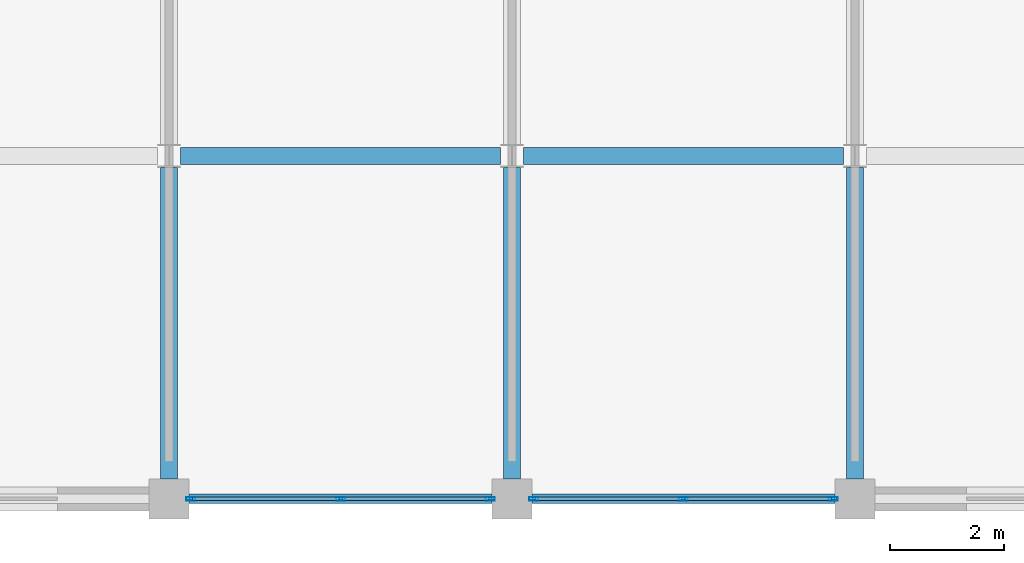
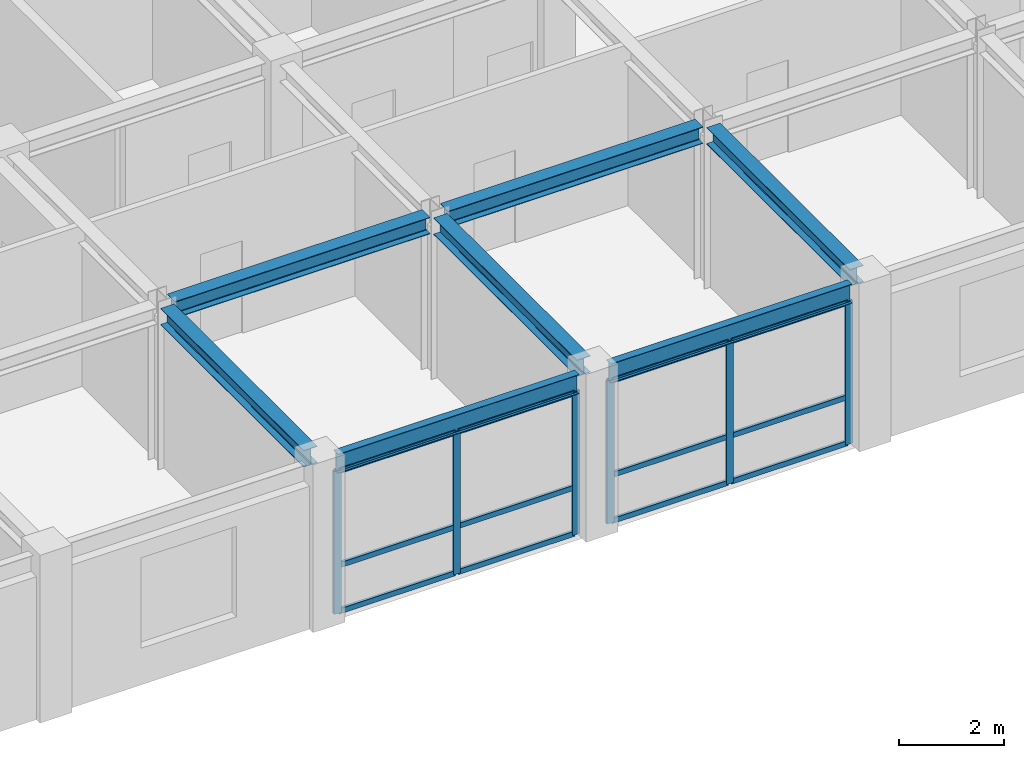
# One storey, part 4 of 13: 18 members, 7 beams, 2 elements without a shape of their own.
"""IFC4 building model written with IfcOpenShell, lengths in metres."""

import ifcopenshell
import ifcopenshell.guid

model = None  # the IFC model being written
_history = None  # IfcOwnerHistory: only IFC2X3 demands one
_inside = {}  # id of a spatial element -> (the spatial element, [elements in it])
_under = {}  # id of a project, library or spatial element -> (it, [spatial elements below it])
_declared = {}  # id of a project -> (the project, [libraries it declares])
_typed = {}  # id of a type object -> (the type object, [elements of that type])
_made_of = {}  # id of a material, layer set ... -> (it, [elements and type objects made of it])


def new_model(schema):
    """Start an empty IFC model of exactly this schema.

    Asked for "IFC4X3", IfcOpenShell would pick the latest addendum, in which some entities
    have other attributes; the version numbers below select the first issue.
    IFC2X3 requires an IfcOwnerHistory on every rooted entity: one is made here for all.
    """
    global model, _history
    if schema == "IFC4X3":
        model = ifcopenshell.file(schema_version=(4, 3, 0, 0))
    else:
        model = ifcopenshell.file(schema=schema)
    _inside.clear()
    _under.clear()
    _declared.clear()
    _typed.clear()
    _made_of.clear()
    _history = None
    if model.schema == "IFC2X3":
        org = make("IfcOrganization", Name="unknown")
        user = make(
            "IfcPersonAndOrganization",
            ThePerson=make("IfcPerson", FamilyName="unknown"),
            TheOrganization=org,
        )
        app = make(
            "IfcApplication",
            ApplicationDeveloper=org,
            Version="unknown",
            ApplicationFullName="unknown",
            ApplicationIdentifier="unknown",
        )
        _history = make(
            "IfcOwnerHistory",
            OwningUser=user,
            OwningApplication=app,
            ChangeAction="ADDED",
            CreationDate=0,
        )
    return model


def make(cls, **values):
    """One entity of the class cls with the attributes given. An attribute that is None is left unset."""
    return model.create_entity(
        cls, **{name: value for name, value in values.items() if value is not None}
    )


def rooted(cls, **values):
    """An entity with a GlobalId (a new one), such as an element, a storey or a relation."""
    return make(cls, GlobalId=ifcopenshell.guid.new(), OwnerHistory=_history, **values)


def si_unit(unit_type, name, prefix=None):
    """IfcSIUnit, for example si_unit("LENGTHUNIT", "METRE", prefix="MILLI")."""
    return make("IfcSIUnit", UnitType=unit_type, Prefix=prefix, Name=name)


def assignment(units):
    """IfcUnitAssignment: the units of a project."""
    return None if units is None else make("IfcUnitAssignment", Units=units)


def point(xyz):
    """IfcCartesianPoint."""
    return None if xyz is None else make("IfcCartesianPoint", Coordinates=xyz)


def direction(xyz):
    """IfcDirection."""
    return None if xyz is None else make("IfcDirection", DirectionRatios=xyz)


def frame(location, z_axis=None, x_axis=None):
    """IfcAxis2Placement3D, a coordinate frame: its origin and axes. An axis left out is left unset."""
    return make(
        "IfcAxis2Placement3D",
        Location=point(location),
        Axis=direction(z_axis),
        RefDirection=direction(x_axis),
    )


def frame_2d(location, x_axis=None):
    """IfcAxis2Placement2D, a coordinate frame in the plane: its origin and x axis."""
    return make(
        "IfcAxis2Placement2D", Location=point(location), RefDirection=direction(x_axis)
    )


def origin():
    """The frame at (0, 0, 0) with its axes left unset."""
    return frame((0.0, 0.0, 0.0))


def origin_2d():
    """The frame at (0, 0) in the plane with its x axis left unset."""
    return frame_2d((0.0, 0.0))


def place(relative_to, where):
    """IfcLocalPlacement: puts the frame where relative to a parent placement (None: the world)."""
    return make(
        "IfcLocalPlacement", PlacementRelTo=relative_to, RelativePlacement=where
    )


def context(
    kind, dimensions, precision=None, world=None, true_north=None, identifier=None
):
    """IfcGeometricRepresentationContext, for example the 3D "Model" context."""
    return make(
        "IfcGeometricRepresentationContext",
        ContextIdentifier=identifier,
        ContextType=kind,
        CoordinateSpaceDimension=dimensions,
        Precision=precision,
        WorldCoordinateSystem=world,
        TrueNorth=true_north,
    )


def subcontext(parent, identifier, kind, view, scale=None):
    """IfcGeometricRepresentationSubContext, for example "Body" below "Model"."""
    return make(
        "IfcGeometricRepresentationSubContext",
        ContextIdentifier=identifier,
        ContextType=kind,
        ParentContext=parent,
        TargetScale=scale,
        TargetView=view,
    )


def project(units=None, contexts=None):
    """IfcProject with its units and contexts."""
    return rooted(
        "IfcProject",
        Name="project",
        RepresentationContexts=contexts,
        UnitsInContext=assignment(units),
    )


def spatial(cls, under=None, at=None, **own):
    """A site, building, storey or space (cls), placed at a placement, below another one or the project."""
    s = rooted(cls, ObjectPlacement=at, **own)
    if under is not None:
        _under.setdefault(under.id(), (under, []))[1].append(s)
    return s


def profile(cls, at=None, kind="AREA", **sizes):
    """A parametric profile (cls). Its sizes go by their IFC names, for example OverallWidth=200.0."""
    return make(cls, ProfileType=kind, Position=at, **sizes)


def hollow_rectangle(**sizes):
    """IfcRectangleHollowProfileDef."""
    return profile("IfcRectangleHollowProfileDef", **sizes)


def i_section(**sizes):
    """IfcIShapeProfileDef."""
    return profile("IfcIShapeProfileDef", **sizes)


def extrude(swept, where, along, depth):
    """IfcExtrudedAreaSolid: the profile swept, set in the frame where, extruded along a direction by depth."""
    return make(
        "IfcExtrudedAreaSolid",
        SweptArea=swept,
        Position=where,
        ExtrudedDirection=direction(along),
        Depth=depth,
    )


def shape(context_of_items, identifier, shape_type, items):
    """IfcShapeRepresentation: the items that make up one representation, for example the "Body"."""
    return make(
        "IfcShapeRepresentation",
        ContextOfItems=context_of_items,
        RepresentationIdentifier=identifier,
        RepresentationType=shape_type,
        Items=items,
    )


def material(Name=None, Category=None):
    """IfcMaterial."""
    return make("IfcMaterial", Name=Name, Category=Category)


def layer(
    of_material, thickness, ventilated=None, Name=None, Category=None, Priority=None
):
    """IfcMaterialLayer: one layer of a wall or slab, of a material (None: an air gap)."""
    return make(
        "IfcMaterialLayer",
        Material=of_material,
        LayerThickness=thickness,
        IsVentilated=ventilated,
        Name=Name,
        Category=Category,
        Priority=Priority,
    )


def layer_set(layers, Name=None):
    """IfcMaterialLayerSet."""
    return make("IfcMaterialLayerSet", MaterialLayers=layers, LayerSetName=Name)


def material_profile(
    of_material, cross_section, Name=None, Category=None, Priority=None
):
    """IfcMaterialProfile: a cross section and its material."""
    return make(
        "IfcMaterialProfile",
        Name=Name,
        Material=of_material,
        Profile=cross_section,
        Priority=Priority,
        Category=Category,
    )


def profile_set(profiles, Name=None, composite=None):
    """IfcMaterialProfileSet."""
    return make(
        "IfcMaterialProfileSet",
        Name=Name,
        MaterialProfiles=profiles,
        CompositeProfile=composite,
    )


def made_of(thing, what):
    """Note that an element or type object is made of a material, layer set ...; save() writes the relation."""
    if what is not None:
        _made_of.setdefault(what.id(), (what, []))[1].append(thing)
    return thing


def type_object(cls, material=None, **own):
    """A type object (cls), such as IfcWallType, which elements share."""
    return made_of(rooted(cls, **own), material)


def element(
    cls,
    number,
    at=None,
    inside=None,
    cuts=None,
    type_object=None,
    material=None,
    context=None,
    identifier="Body",
    shape_type=None,
    held_by="IfcProductDefinitionShape",
    body=None,
    shapes=None,
    **own,
):
    """One element of the class cls, such as IfcWall. Its Tag is "e" and its number.

    at: its placement. inside: the storey or other place that contains it. cuts: it is an
    opening in that element (IfcRelVoidsElement). A single representation is given by context,
    identifier, shape_type and body (its items); several are given by shapes. held_by: the class
    of the entity that holds the representations. save() writes the other relations.
    """
    e = rooted(cls, Tag="e%d" % number, ObjectPlacement=at, **own)
    if body is not None:
        shapes = [shape(context, identifier, shape_type, body)]
    if shapes is not None:
        e.Representation = make(held_by, Representations=shapes)
    if inside is not None:
        _inside.setdefault(inside.id(), (inside, []))[1].append(e)
    if cuts is not None:
        rooted(
            "IfcRelVoidsElement", RelatingBuildingElement=cuts, RelatedOpeningElement=e
        )
    if type_object is not None:
        _typed.setdefault(type_object.id(), (type_object, []))[1].append(e)
    return made_of(e, material)


def aggregate(whole, parts):
    """IfcRelAggregates: a whole, such as a stair, and the parts it consists of."""
    return rooted("IfcRelAggregates", RelatingObject=whole, RelatedObjects=parts)


def save(model, path):
    """Write the relations noted so far, then the file.

    IfcRelAggregates (storeys below a building ...), IfcRelContainedInSpatialStructure (elements
    in a storey), IfcRelDefinesByType, IfcRelAssociatesMaterial and IfcRelDeclares: one each for
    every whole, place, type object, material and project.
    """
    for whole, parts in _under.values():
        aggregate(whole, parts)
    for where, things in _inside.values():
        rooted(
            "IfcRelContainedInSpatialStructure",
            RelatedElements=things,
            RelatingStructure=where,
        )
    for kind, things in _typed.values():
        rooted("IfcRelDefinesByType", RelatedObjects=things, RelatingType=kind)
    for what, things in _made_of.values():
        rooted("IfcRelAssociatesMaterial", RelatedObjects=things, RelatingMaterial=what)
    for by, libraries in _declared.values():
        rooted("IfcRelDeclares", RelatingContext=by, RelatedDefinitions=libraries)
    model.write(path)


model = new_model("IFC4")

# Units and contexts
model_context = context("Model", 3, precision=1e-05, world=origin(), true_north=direction((0.0, 1.0)))
body_context = subcontext(model_context, "Body", "Model", "MODEL_VIEW")
ifc_project = project(units=[si_unit("LENGTHUNIT", "METRE"), si_unit("AREAUNIT", "SQUARE_METRE"), si_unit("VOLUMEUNIT", "CUBIC_METRE"), si_unit("PLANEANGLEUNIT", "RADIAN"), si_unit("MASSUNIT", "GRAM", prefix="KILO")], contexts=[model_context])

# Site, building, storey
site_placement = place(None, origin())
site = spatial("IfcSite", under=ifc_project, at=site_placement, CompositionType="ELEMENT")
building_placement = place(site_placement, origin())
building = spatial("IfcBuilding", under=site, at=building_placement, Name="Zlatovratsky Civic Hall", CompositionType="ELEMENT")
storey_placement = place(building_placement, frame((0.0, 0.0, 24.89990234375)))
storey = spatial("IfcBuildingStorey", under=building, at=storey_placement, Name="L06", CompositionType="ELEMENT", Elevation=24.89990234375)

# Beams
ifc_material_1 = material(Name="Steel S355", Category="steel")
ifc_material_profile_1 = material_profile(ifc_material_1, i_section(OverallWidth=0.169921875, OverallDepth=0.446044921875, WebThickness=0.007568359375, FlangeThickness=0.010986328125, FilletRadius=0.01611328125, at=origin_2d()), Name="45B1")
ifc_profile_set_1 = profile_set([ifc_material_profile_1], Name="Steel S355")
beam_type_1 = type_object("IfcBeamType", Name="Beam_Spandrel_45B1", PredefinedType="SPANDREL", material=ifc_profile_set_1)
for number, where, z_axis, x_axis, name in (
    (1, (78.35009765625, 72.0, 3.51708984375), (1.0, 0.0, 0.0), (0.0, 1.0, 0.0), "BM-4113"),
    (2, (84.35009765625, 72.0, 3.51708984375), (1.0, 0.0, 0.0), (0.0, 1.0, 0.0), "BM-4114"),
):
    element("IfcBeam", number, at=place(storey_placement, frame(where, z_axis=z_axis, x_axis=x_axis)), inside=storey, type_object=beam_type_1, Name=name, PredefinedType="SPANDREL", context=body_context, shape_type="SweptSolid", body=[
        extrude(i_section(OverallWidth=0.169921875, OverallDepth=0.446044921875, WebThickness=0.007568359375, FlangeThickness=0.010986328125, FilletRadius=0.01611328125, at=origin_2d()), origin(), (0.0, 0.0, 1.0), 5.2998046875),
    ])
ifc_material_profile_2 = material_profile(ifc_material_1, i_section(OverallWidth=0.300048828125, OverallDepth=0.387939453125, WebThickness=0.009521484375, FlangeThickness=0.013916015625, FilletRadius=0.02197265625, at=origin_2d()), Name="40Sh1")
ifc_profile_set_2 = profile_set([ifc_material_profile_2], Name="Steel S355")
beam_type_2 = type_object("IfcBeamType", Name="Beam_TowerMid_40Sh1", PredefinedType="BEAM", material=ifc_profile_set_2)
for number, where, z_axis, x_axis, name in (
    (3, (78.199951171875, 78.0, 3.546142578125), (1.0, 0.0, 0.0), (0.0, 1.0, 0.0), "BM-4123"),
    (4, (84.199951171875, 78.0, 3.546142578125), (1.0, 0.0, 0.0), (0.0, 1.0, 0.0), "BM-4124"),
):
    element("IfcBeam", number, at=place(storey_placement, frame(where, z_axis=z_axis, x_axis=x_axis)), inside=storey, type_object=beam_type_2, Name=name, PredefinedType="BEAM", context=body_context, shape_type="SweptSolid", body=[
        extrude(i_section(OverallWidth=0.300048828125, OverallDepth=0.387939453125, WebThickness=0.009521484375, FlangeThickness=0.013916015625, FilletRadius=0.02197265625, at=origin_2d()), origin(), (0.0, 0.0, 1.0), 5.60009765625),
    ])
for number, where, z_axis, x_axis, name in (
    (5, (78.0, 72.35009765625, 3.546142578125), (0.0, 1.0, 0.0), (-1.0, 0.0, 0.0), "BM-4201"),
    (6, (84.0, 72.35009765625, 3.546142578125), (0.0, 1.0, 0.0), (-1.0, 0.0, 0.0), "BM-4207"),
    (7, (90.0, 72.35009765625, 3.546142578125), (0.0, 1.0, 0.0), (-1.0, 0.0, 0.0), "BM-4213"),
):
    element("IfcBeam", number, at=place(storey_placement, frame(where, z_axis=z_axis, x_axis=x_axis)), inside=storey, type_object=beam_type_2, Name=name, PredefinedType="BEAM", context=body_context, shape_type="SweptSolid", body=[
        extrude(i_section(OverallWidth=0.300048828125, OverallDepth=0.387939453125, WebThickness=0.009521484375, FlangeThickness=0.013916015625, FilletRadius=0.02197265625, at=origin_2d()), origin(), (0.0, 0.0, 1.0), 5.449951171875),
    ])

# Curtain wall, members
ifc_material_2 = material(Name="Anodised bronze aluminium", Category="aluminium")
ifc_layer = layer(ifc_material_2, 0.159912109375)
ifc_layer_set = layer_set([ifc_layer], Name="Anodised bronze aluminium")
curtain_wall_type = type_object("IfcCurtainWallType", Name="CurtainWall_Bronze_5300x3320_21", PredefinedType="NOTDEFINED", material=ifc_layer_set)
curtain_wall_1_placement = place(storey_placement, origin())
curtain_wall_1 = element("IfcCurtainWall", 8, at=curtain_wall_1_placement, inside=storey, type_object=curtain_wall_type, Name="CW-133", PredefinedType="NOTDEFINED")
ifc_material_profile_3 = material_profile(ifc_material_2, hollow_rectangle(XDim=0.06005859375, YDim=0.159912109375, WallThickness=0.00390625, at=origin_2d()), Name="ALU 60x160x4")
ifc_profile_set_3 = profile_set([ifc_material_profile_3], Name="Anodised bronze aluminium")
member_type_1 = type_object("IfcMemberType", Name="CW_Mullion_60x160", PredefinedType="MULLION", material=ifc_profile_set_3)
member_1_placement = place(storey_placement, frame((78.3798828125, 72.0, 0.0), z_axis=(0.0, 0.0, 1.0), x_axis=(0.0, 1.0, 0.0)))
member_1 = element("IfcMember", 9, at=member_1_placement, type_object=member_type_1, Name="CW-21 mullion 1", PredefinedType="MULLION", context=body_context, shape_type="SweptSolid", body=[
    extrude(hollow_rectangle(XDim=0.06005859375, YDim=0.159912109375, WallThickness=0.00390625, at=origin_2d()), origin(), (0.0, 0.0, 1.0), 3.320068359375),
])
member_2_placement = place(storey_placement, frame((81.0, 72.0, 0.0), z_axis=(0.0, 0.0, 1.0), x_axis=(0.0, 1.0, 0.0)))
member_2 = element("IfcMember", 10, at=member_2_placement, type_object=member_type_1, Name="CW-21 mullion 2", PredefinedType="MULLION", context=body_context, shape_type="SweptSolid", body=[
    extrude(hollow_rectangle(XDim=0.06005859375, YDim=0.159912109375, WallThickness=0.00390625, at=origin_2d()), origin(), (0.0, 0.0, 1.0), 3.320068359375),
])
member_3_placement = place(storey_placement, frame((83.6201171875, 72.0, 0.0), z_axis=(0.0, 0.0, 1.0), x_axis=(0.0, 1.0, 0.0)))
member_3 = element("IfcMember", 11, at=member_3_placement, type_object=member_type_1, Name="CW-21 mullion 3", PredefinedType="MULLION", context=body_context, shape_type="SweptSolid", body=[
    extrude(hollow_rectangle(XDim=0.06005859375, YDim=0.159912109375, WallThickness=0.00390625, at=origin_2d()), origin(), (0.0, 0.0, 1.0), 3.320068359375),
])

curtain_wall_2_placement = place(storey_placement, origin())
curtain_wall_2 = element("IfcCurtainWall", 12, at=curtain_wall_2_placement, inside=storey, type_object=curtain_wall_type, Name="CW-134", PredefinedType="NOTDEFINED")
member_4_placement = place(storey_placement, frame((84.3798828125, 72.0, 0.0), z_axis=(0.0, 0.0, 1.0), x_axis=(0.0, 1.0, 0.0)))
member_4 = element("IfcMember", 13, at=member_4_placement, type_object=member_type_1, Name="CW-21 mullion 1", PredefinedType="MULLION", context=body_context, shape_type="SweptSolid", body=[
    extrude(hollow_rectangle(XDim=0.06005859375, YDim=0.159912109375, WallThickness=0.00390625, at=origin_2d()), origin(), (0.0, 0.0, 1.0), 3.320068359375),
])
member_5_placement = place(storey_placement, frame((87.0, 72.0, 0.0), z_axis=(0.0, 0.0, 1.0), x_axis=(0.0, 1.0, 0.0)))
member_5 = element("IfcMember", 14, at=member_5_placement, type_object=member_type_1, Name="CW-21 mullion 2", PredefinedType="MULLION", context=body_context, shape_type="SweptSolid", body=[
    extrude(hollow_rectangle(XDim=0.06005859375, YDim=0.159912109375, WallThickness=0.00390625, at=origin_2d()), origin(), (0.0, 0.0, 1.0), 3.320068359375),
])
member_6_placement = place(storey_placement, frame((89.6201171875, 72.0, 0.0), z_axis=(0.0, 0.0, 1.0), x_axis=(0.0, 1.0, 0.0)))
member_6 = element("IfcMember", 15, at=member_6_placement, type_object=member_type_1, Name="CW-21 mullion 3", PredefinedType="MULLION", context=body_context, shape_type="SweptSolid", body=[
    extrude(hollow_rectangle(XDim=0.06005859375, YDim=0.159912109375, WallThickness=0.00390625, at=origin_2d()), origin(), (0.0, 0.0, 1.0), 3.320068359375),
])

# Member
ifc_material_profile_4 = material_profile(ifc_material_2, hollow_rectangle(XDim=0.06005859375, YDim=0.1201171875, WallThickness=0.00390625, at=origin_2d()), Name="ALU 60x120x4")
ifc_profile_set_4 = profile_set([ifc_material_profile_4], Name="Anodised bronze aluminium")
member_type_2 = type_object("IfcMemberType", Name="CW_Transom_60x120", PredefinedType="USERDEFINED", material=ifc_profile_set_4)
member_7_placement = place(storey_placement, frame((78.409912109375, 72.0, 0.030029296875), z_axis=(1.0, 0.0, 0.0), x_axis=(0.0, 1.0, 0.0)))
member_7 = element("IfcMember", 16, at=member_7_placement, type_object=member_type_2, Name="CW-21 transom 1.1", ObjectType="TRANSOM", PredefinedType="USERDEFINED", context=body_context, shape_type="SweptSolid", body=[
    extrude(hollow_rectangle(XDim=0.06005859375, YDim=0.1201171875, WallThickness=0.00390625, at=origin_2d()), origin(), (0.0, 0.0, 1.0), 2.56005859375),
])

member_8_placement = place(storey_placement, frame((78.409912109375, 72.0, 1.10009765625), z_axis=(1.0, 0.0, 0.0), x_axis=(0.0, 1.0, 0.0)))
member_8 = element("IfcMember", 17, at=member_8_placement, type_object=member_type_2, Name="CW-21 transom 1.2", ObjectType="TRANSOM", PredefinedType="USERDEFINED", context=body_context, shape_type="SweptSolid", body=[
    extrude(hollow_rectangle(XDim=0.06005859375, YDim=0.1201171875, WallThickness=0.00390625, at=origin_2d()), origin(), (0.0, 0.0, 1.0), 2.56005859375),
])

member_9_placement = place(storey_placement, frame((78.409912109375, 72.0, 3.2900390625), z_axis=(1.0, 0.0, 0.0), x_axis=(0.0, 1.0, 0.0)))
member_9 = element("IfcMember", 18, at=member_9_placement, type_object=member_type_2, Name="CW-21 transom 1.3", ObjectType="TRANSOM", PredefinedType="USERDEFINED", context=body_context, shape_type="SweptSolid", body=[
    extrude(hollow_rectangle(XDim=0.06005859375, YDim=0.1201171875, WallThickness=0.00390625, at=origin_2d()), origin(), (0.0, 0.0, 1.0), 2.56005859375),
])

member_10_placement = place(storey_placement, frame((81.030029296875, 72.0, 0.030029296875), z_axis=(1.0, 0.0, 0.0), x_axis=(0.0, 1.0, 0.0)))
member_10 = element("IfcMember", 19, at=member_10_placement, type_object=member_type_2, Name="CW-21 transom 2.1", ObjectType="TRANSOM", PredefinedType="USERDEFINED", context=body_context, shape_type="SweptSolid", body=[
    extrude(hollow_rectangle(XDim=0.06005859375, YDim=0.1201171875, WallThickness=0.00390625, at=origin_2d()), origin(), (0.0, 0.0, 1.0), 2.56005859375),
])

member_11_placement = place(storey_placement, frame((81.030029296875, 72.0, 1.10009765625), z_axis=(1.0, 0.0, 0.0), x_axis=(0.0, 1.0, 0.0)))
member_11 = element("IfcMember", 20, at=member_11_placement, type_object=member_type_2, Name="CW-21 transom 2.2", ObjectType="TRANSOM", PredefinedType="USERDEFINED", context=body_context, shape_type="SweptSolid", body=[
    extrude(hollow_rectangle(XDim=0.06005859375, YDim=0.1201171875, WallThickness=0.00390625, at=origin_2d()), origin(), (0.0, 0.0, 1.0), 2.56005859375),
])

member_12_placement = place(storey_placement, frame((81.030029296875, 72.0, 3.2900390625), z_axis=(1.0, 0.0, 0.0), x_axis=(0.0, 1.0, 0.0)))
member_12 = element("IfcMember", 21, at=member_12_placement, type_object=member_type_2, Name="CW-21 transom 2.3", ObjectType="TRANSOM", PredefinedType="USERDEFINED", context=body_context, shape_type="SweptSolid", body=[
    extrude(hollow_rectangle(XDim=0.06005859375, YDim=0.1201171875, WallThickness=0.00390625, at=origin_2d()), origin(), (0.0, 0.0, 1.0), 2.56005859375),
])

aggregate(curtain_wall_1, [member_1, member_2, member_3, member_7, member_8, member_9, member_10, member_11, member_12])

member_13_placement = place(storey_placement, frame((84.409912109375, 72.0, 0.030029296875), z_axis=(1.0, 0.0, 0.0), x_axis=(0.0, 1.0, 0.0)))
member_13 = element("IfcMember", 22, at=member_13_placement, type_object=member_type_2, Name="CW-21 transom 1.1", ObjectType="TRANSOM", PredefinedType="USERDEFINED", context=body_context, shape_type="SweptSolid", body=[
    extrude(hollow_rectangle(XDim=0.06005859375, YDim=0.1201171875, WallThickness=0.00390625, at=origin_2d()), origin(), (0.0, 0.0, 1.0), 2.56005859375),
])

member_14_placement = place(storey_placement, frame((84.409912109375, 72.0, 1.10009765625), z_axis=(1.0, 0.0, 0.0), x_axis=(0.0, 1.0, 0.0)))
member_14 = element("IfcMember", 23, at=member_14_placement, type_object=member_type_2, Name="CW-21 transom 1.2", ObjectType="TRANSOM", PredefinedType="USERDEFINED", context=body_context, shape_type="SweptSolid", body=[
    extrude(hollow_rectangle(XDim=0.06005859375, YDim=0.1201171875, WallThickness=0.00390625, at=origin_2d()), origin(), (0.0, 0.0, 1.0), 2.56005859375),
])

member_15_placement = place(storey_placement, frame((84.409912109375, 72.0, 3.2900390625), z_axis=(1.0, 0.0, 0.0), x_axis=(0.0, 1.0, 0.0)))
member_15 = element("IfcMember", 24, at=member_15_placement, type_object=member_type_2, Name="CW-21 transom 1.3", ObjectType="TRANSOM", PredefinedType="USERDEFINED", context=body_context, shape_type="SweptSolid", body=[
    extrude(hollow_rectangle(XDim=0.06005859375, YDim=0.1201171875, WallThickness=0.00390625, at=origin_2d()), origin(), (0.0, 0.0, 1.0), 2.56005859375),
])

member_16_placement = place(storey_placement, frame((87.030029296875, 72.0, 0.030029296875), z_axis=(1.0, 0.0, 0.0), x_axis=(0.0, 1.0, 0.0)))
member_16 = element("IfcMember", 25, at=member_16_placement, type_object=member_type_2, Name="CW-21 transom 2.1", ObjectType="TRANSOM", PredefinedType="USERDEFINED", context=body_context, shape_type="SweptSolid", body=[
    extrude(hollow_rectangle(XDim=0.06005859375, YDim=0.1201171875, WallThickness=0.00390625, at=origin_2d()), origin(), (0.0, 0.0, 1.0), 2.56005859375),
])

member_17_placement = place(storey_placement, frame((87.030029296875, 72.0, 1.10009765625), z_axis=(1.0, 0.0, 0.0), x_axis=(0.0, 1.0, 0.0)))
member_17 = element("IfcMember", 26, at=member_17_placement, type_object=member_type_2, Name="CW-21 transom 2.2", ObjectType="TRANSOM", PredefinedType="USERDEFINED", context=body_context, shape_type="SweptSolid", body=[
    extrude(hollow_rectangle(XDim=0.06005859375, YDim=0.1201171875, WallThickness=0.00390625, at=origin_2d()), origin(), (0.0, 0.0, 1.0), 2.56005859375),
])

member_18_placement = place(storey_placement, frame((87.030029296875, 72.0, 3.2900390625), z_axis=(1.0, 0.0, 0.0), x_axis=(0.0, 1.0, 0.0)))
member_18 = element("IfcMember", 27, at=member_18_placement, type_object=member_type_2, Name="CW-21 transom 2.3", ObjectType="TRANSOM", PredefinedType="USERDEFINED", context=body_context, shape_type="SweptSolid", body=[
    extrude(hollow_rectangle(XDim=0.06005859375, YDim=0.1201171875, WallThickness=0.00390625, at=origin_2d()), origin(), (0.0, 0.0, 1.0), 2.56005859375),
])

aggregate(curtain_wall_2, [member_4, member_5, member_6, member_13, member_14, member_15, member_16, member_17, member_18])

save(model, "model.ifc")
